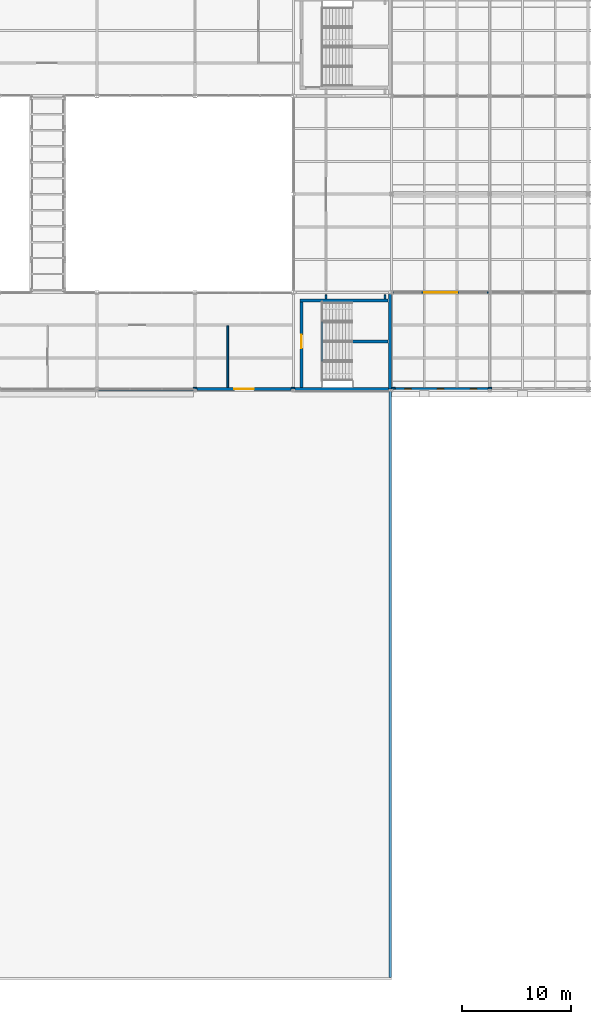
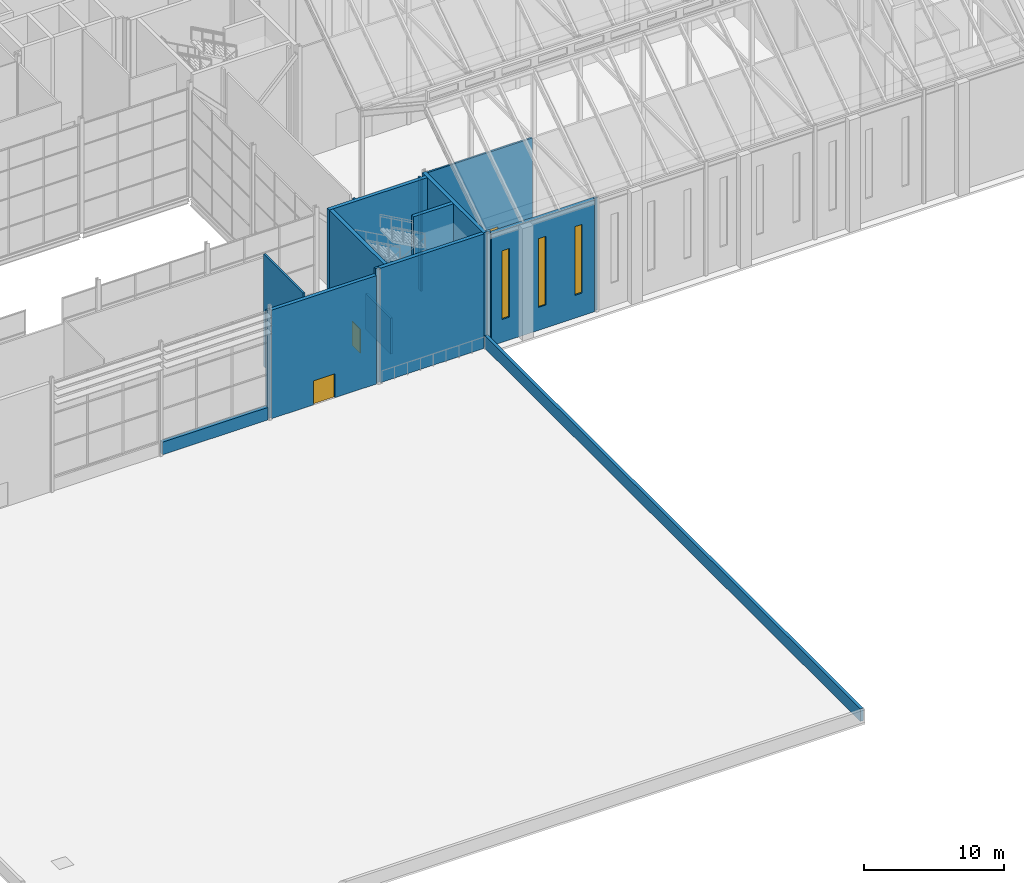
# One storey, part 86 of 111: 18 walls, 3 doors, 3 windows, 6 openings.
"""IFC4 building model written with IfcOpenShell, lengths in metres."""

from ifc_helpers import new_model, si_unit, direction, frame, frame_2d, origin, place, context, subcontext, project, spatial, rectangle, extrude, material, layer, layer_set, type_object, element, fill, save


model = new_model("IFC4")

# Units and contexts
model_context = context("Model", 3, precision=1e-05, world=origin(), true_north=direction((0.0, 1.0)))
body_context = subcontext(model_context, "Body", "Model", "MODEL_VIEW")
ifc_project = project(units=[si_unit("LENGTHUNIT", "METRE"), si_unit("AREAUNIT", "SQUARE_METRE"), si_unit("VOLUMEUNIT", "CUBIC_METRE"), si_unit("PLANEANGLEUNIT", "RADIAN"), si_unit("MASSUNIT", "GRAM", prefix="KILO")], contexts=[model_context])

# Site, building, storey
site_placement = place(None, origin())
site = spatial("IfcSite", under=ifc_project, at=site_placement, CompositionType="ELEMENT")
building_placement = place(site_placement, origin())
building = spatial("IfcBuilding", under=site, at=building_placement, Name="Shorebreak Coast Museum", CompositionType="ELEMENT")
storey_placement = place(building_placement, frame((0.0, 0.0, 16.0)))
storey = spatial("IfcBuildingStorey", under=building, at=storey_placement, Name="L03", CompositionType="ELEMENT", Elevation=16.0)

# Walls
ifc_material_1 = material(Name="Concrete N50 (50 MPa)", Category="concrete")
ifc_layer_1 = layer(ifc_material_1, 0.175048828125)
ifc_layer_set_1 = layer_set([ifc_layer_1], Name="Concrete N50 (50 MPa)")
wall_type_1 = type_object("IfcWallType", Name="Column closure panel 175", PredefinedType="SOLIDWALL", material=ifc_layer_set_1)
wall_1_placement = place(storey_placement, frame((98.839111328125, 54.21240234375, 0.0), z_axis=(0.0, 0.0, 1.0), x_axis=(1.0, 0.0, 0.0)))
element("IfcWall", 1, at=wall_1_placement, inside=storey, type_object=wall_type_1, Name="Column closure panel L03 S 12G", PredefinedType="SOLIDWALL", context=body_context, shape_type="SweptSolid", body=[
    extrude(rectangle(XDim=0.32177734375, YDim=0.175048828125, at=frame_2d((0.160888671875, 0.0))), origin(), (0.0, 0.0, 1.0), 9.472900390625),
])
for number, where, z_axis, x_axis, name in (
    (2, (107.802978515625, 54.21240234375, 0.0), (0.0, 0.0, 1.0), (1.0, 0.0, 0.0), "Column closure panel L03 S 13G"),
    (3, (117.0, 54.21240234375, 0.0), (0.0, 0.0, 1.0), (1.0, 0.0, 0.0), "Column closure panel L03 S 14G"),
):
    element("IfcWall", number, at=place(storey_placement, frame(where, z_axis=z_axis, x_axis=x_axis)), inside=storey, type_object=wall_type_1, Name=name, PredefinedType="SOLIDWALL", context=body_context, shape_type="SweptSolid", body=[
        extrude(rectangle(XDim=0.322021484375, YDim=0.175048828125, at=frame_2d((0.1611328125, 0.0))), origin(), (0.0, 0.0, 1.0), 10.0),
    ])
wall_2_placement = place(storey_placement, frame((125.839111328125, 54.21240234375, 0.0), z_axis=(0.0, 0.0, 1.0), x_axis=(1.0, 0.0, 0.0)))
element("IfcWall", 4, at=wall_2_placement, inside=storey, type_object=wall_type_1, Name="Column closure panel L03 S 15G", PredefinedType="SOLIDWALL", context=body_context, shape_type="SweptSolid", body=[
    extrude(rectangle(XDim=0.32177734375, YDim=0.175048828125, at=frame_2d((0.160888671875, 0.0))), origin(), (0.0, 0.0, 1.0), 9.800048828125),
])

# Wall, opening, door
ifc_material_2 = material(Name="Plasterboard on steel stud", Category="steel")
ifc_layer_2 = layer(ifc_material_2, 0.14990234375)
ifc_layer_set_2 = layer_set([ifc_layer_2], Name="Plasterboard on steel stud")
wall_type_2 = type_object("IfcWallType", Name="Fire partition 150", PredefinedType="PARTITIONING", material=ifc_layer_set_2)
wall_3_placement = place(storey_placement, frame((117.152587890625, 63.0, 0.0), z_axis=(0.0, 0.0, 1.0), x_axis=(1.0, 0.0, 0.0)))
wall_3 = element("IfcWall", 5, at=wall_3_placement, inside=storey, type_object=wall_type_2, Name="Partition L03-005", PredefinedType="PARTITIONING", context=body_context, shape_type="SweptSolid", body=[
    extrude(rectangle(XDim=8.69482421875, YDim=0.14990234375, at=frame_2d((4.347412109375, 0.0))), origin(), (0.0, 0.0, 1.0), 9.760009765625),
])
opening_1_placement = place(wall_3_placement, frame((2.85009765625, 0.0, 0.0)))
opening_1 = element("IfcOpeningElement", 6, at=opening_1_placement, cuts=wall_3, Name="Opening D3029", PredefinedType="OPENING", context=body_context, shape_type="SweptSolid", body=[
    extrude(rectangle(XDim=3.0, YDim=3.0, at=frame_2d((1.5, 1.5))), frame((0.0, 0.0849609375, 0.0), z_axis=(0.0, -1.0, 0.0), x_axis=(1.0, 0.0, 0.0)), (0.0, 0.0, 1.0), 0.169921875),
])
ifc_material_3 = material(Name="Steel", Category="steel")
door_type_1 = type_object("IfcDoorType", Name="Fire door 3000x3000 60", OperationType="DOUBLE_DOOR_SINGLE_SWING", PredefinedType="DOOR", material=ifc_material_3)
door_1_placement = place(opening_1_placement, origin())
door_1 = element("IfcDoor", 7, at=door_1_placement, inside=storey, type_object=door_type_1, Name="Door D3029 Top-lit Gallery 3.01", OperationType="DOUBLE_DOOR_SINGLE_SWING", OverallHeight=3.0, OverallWidth=3.0, PredefinedType="DOOR", context=body_context, shape_type="SweptSolid", body=[
    extrude(rectangle(XDim=3.0, YDim=3.0, at=frame_2d((1.5, 1.5))), frame((0.0, 0.02490234375, 0.0), z_axis=(0.0, -1.0, 0.0), x_axis=(1.0, 0.0, 0.0)), (0.0, 0.0, 1.0), 0.050048828125),
])
fill(opening_1, door_1)

# Walls
wall_4_placement = place(storey_placement, frame((102.0, 54.300048828125, 0.0), z_axis=(0.0, 0.0, 1.0), x_axis=(0.0, 1.0, 0.0)))
element("IfcWall", 8, at=wall_4_placement, inside=storey, type_object=wall_type_2, Name="Partition L03-063", PredefinedType="PARTITIONING", context=body_context, shape_type="SweptSolid", body=[
    extrude(rectangle(XDim=5.625, YDim=0.14990234375, at=frame_2d((2.8125, 0.0))), origin(), (0.0, 0.0, 1.0), 9.824951171875),
])
for number, where, z_axis, x_axis, name in (
    (9, (111.0, 62.39990234375, 0.0), (0.0, 0.0, 1.0), (0.0, 1.0, 0.0), "Partition L03-068"),
    (10, (116.39990234375, 62.39990234375, 0.0), (0.0, 0.0, 1.0), (0.0, 1.0, 0.0), "Partition L03-074"),
):
    element("IfcWall", number, at=place(storey_placement, frame(where, z_axis=z_axis, x_axis=x_axis)), inside=storey, type_object=wall_type_2, Name=name, PredefinedType="PARTITIONING", context=body_context, shape_type="SweptSolid", body=[
        extrude(rectangle(XDim=0.380126953125, YDim=0.14990234375, at=frame_2d((0.18994140625, 0.0))), origin(), (0.0, 0.0, 1.0), 9.824951171875),
    ])
ifc_material_4 = material(Name="Concrete N50 (50 MPa)", Category="concrete")
ifc_layer_3 = layer(ifc_material_4, 0.300048828125)
ifc_layer_set_3 = layer_set([ifc_layer_3], Name="Concrete N50 (50 MPa)")
wall_type_3 = type_object("IfcWallType", Name="Precast board-marked panel 300", PredefinedType="SOLIDWALL", material=ifc_layer_set_3)
wall_5_placement = place(storey_placement, frame((90.160888671875, 54.14990234375, 0.0), z_axis=(0.0, 0.0, 1.0), x_axis=(1.0, 0.0, 0.0)))
element("IfcWall", 11, at=wall_5_placement, inside=storey, type_object=wall_type_3, Name="External wall L03 S 11G", PredefinedType="SOLIDWALL", context=body_context, shape_type="SweptSolid", body=[
    extrude(rectangle(XDim=8.67822265625, YDim=0.300048828125, at=frame_2d((4.339111328125, 0.0))), origin(), (0.0, 0.0, 1.0), 1.10009765625),
])

# Wall, opening, door
wall_6_placement = place(storey_placement, frame((99.160888671875, 54.14990234375, 0.0), z_axis=(0.0, 0.0, 1.0), x_axis=(1.0, 0.0, 0.0)))
wall_6 = element("IfcWall", 12, at=wall_6_placement, inside=storey, type_object=wall_type_3, Name="External wall L03 S 12G", PredefinedType="SOLIDWALL", context=body_context, shape_type="SweptSolid", body=[
    extrude(rectangle(XDim=8.64208984375, YDim=0.300048828125, at=frame_2d((4.321044921875, 0.0))), origin(), (0.0, 0.0, 1.0), 9.472900390625),
])
opening_2_placement = place(wall_6_placement, frame((3.43896484375, 0.0, 0.0)))
opening_2 = element("IfcOpeningElement", 13, at=opening_2_placement, cuts=wall_6, Name="Opening D0915", PredefinedType="OPENING", context=body_context, shape_type="SweptSolid", body=[
    extrude(rectangle(XDim=1.800048828125, YDim=2.10009765625, at=frame_2d((0.89990234375, 1.050048828125))), frame((0.0, 0.159912109375, 0.0), z_axis=(0.0, -1.0, 0.0), x_axis=(1.0, 0.0, 0.0)), (0.0, 0.0, 1.0), 0.320068359375),
])
ifc_material_5 = material(Name="Aluminium", Category="aluminium")
door_type_2 = type_object("IfcDoorType", Name="Garden door pair 1800 x 2100", OperationType="DOUBLE_DOOR_SINGLE_SWING", PredefinedType="DOOR", material=ifc_material_5)
door_2_placement = place(opening_2_placement, origin())
door_2 = element("IfcDoor", 14, at=door_2_placement, inside=storey, type_object=door_type_2, Name="Garden door RG-S2 D0915", OperationType="DOUBLE_DOOR_SINGLE_SWING", OverallHeight=2.10009765625, OverallWidth=1.800048828125, PredefinedType="DOOR", context=body_context, shape_type="SweptSolid", body=[
    extrude(rectangle(XDim=1.800048828125, YDim=2.10009765625, at=frame_2d((0.89990234375, 1.050048828125))), frame((0.0, 0.02490234375, 0.0), z_axis=(0.0, -1.0, 0.0), x_axis=(1.0, 0.0, 0.0)), (0.0, 0.0, 1.0), 0.050048828125),
])
fill(opening_2, door_2)

# Wall, openings, windows
wall_7_placement = place(storey_placement, frame((117.322021484375, 54.14990234375, 0.0), z_axis=(0.0, 0.0, 1.0), x_axis=(1.0, 0.0, 0.0)))
wall_7 = element("IfcWall", 15, at=wall_7_placement, inside=storey, type_object=wall_type_3, Name="External wall L03 S 14G", PredefinedType="SOLIDWALL", context=body_context, shape_type="SweptSolid", body=[
    extrude(rectangle(XDim=8.51708984375, YDim=0.300048828125, at=frame_2d((4.258544921875, 0.0))), origin(), (0.0, 0.0, 1.0), 9.800048828125),
])
opening_3_placement = place(wall_7_placement, frame((0.8779296875, 0.0, 2.0)))
opening_3 = element("IfcOpeningElement", 16, at=opening_3_placement, cuts=wall_7, Name="Opening WN3030", PredefinedType="OPENING", context=body_context, shape_type="SweptSolid", body=[
    extrude(rectangle(XDim=0.60009765625, YDim=6.0, at=frame_2d((0.300048828125, 3.0))), frame((0.0, 0.159912109375, 0.0), z_axis=(0.0, -1.0, 0.0), x_axis=(1.0, 0.0, 0.0)), (0.0, 0.0, 1.0), 0.320068359375),
])
opening_4_placement = place(wall_7_placement, frame((3.8779296875, 0.0, 2.0)))
opening_4 = element("IfcOpeningElement", 17, at=opening_4_placement, cuts=wall_7, Name="Opening WN3031", PredefinedType="OPENING", context=body_context, shape_type="SweptSolid", body=[
    extrude(rectangle(XDim=0.60009765625, YDim=6.0, at=frame_2d((0.300048828125, 3.0))), frame((0.0, 0.159912109375, 0.0), z_axis=(0.0, -1.0, 0.0), x_axis=(1.0, 0.0, 0.0)), (0.0, 0.0, 1.0), 0.320068359375),
])
opening_5_placement = place(wall_7_placement, frame((6.8779296875, 0.0, 2.0)))
opening_5 = element("IfcOpeningElement", 18, at=opening_5_placement, cuts=wall_7, Name="Opening WN3032", PredefinedType="OPENING", context=body_context, shape_type="SweptSolid", body=[
    extrude(rectangle(XDim=0.60009765625, YDim=6.0, at=frame_2d((0.300048828125, 3.0))), frame((0.0, 0.159912109375, 0.0), z_axis=(0.0, -1.0, 0.0), x_axis=(1.0, 0.0, 0.0)), (0.0, 0.0, 1.0), 0.320068359375),
])
ifc_material_6 = material(Name="Aluminium", Category="aluminium")
window_type = type_object("IfcWindowType", Name="Hall slot window 600 x 6000", PartitioningType="SINGLE_PANEL", PredefinedType="WINDOW", material=ifc_material_6)
window_1_placement = place(opening_3_placement, origin())
window_1 = element("IfcWindow", 19, at=window_1_placement, inside=storey, type_object=window_type, Name="Window WN3030", OverallHeight=6.0, OverallWidth=0.60009765625, PartitioningType="SINGLE_PANEL", PredefinedType="WINDOW", context=body_context, shape_type="SweptSolid", body=[
    extrude(rectangle(XDim=0.60009765625, YDim=6.0, at=frame_2d((0.300048828125, 3.0))), frame((0.0, 0.030029296875, 0.0), z_axis=(0.0, -1.0, 0.0), x_axis=(1.0, 0.0, 0.0)), (0.0, 0.0, 1.0), 0.06005859375),
])
fill(opening_3, window_1)
window_2_placement = place(opening_4_placement, origin())
window_2 = element("IfcWindow", 20, at=window_2_placement, inside=storey, type_object=window_type, Name="Window WN3031", OverallHeight=6.0, OverallWidth=0.60009765625, PartitioningType="SINGLE_PANEL", PredefinedType="WINDOW", context=body_context, shape_type="SweptSolid", body=[
    extrude(rectangle(XDim=0.60009765625, YDim=6.0, at=frame_2d((0.300048828125, 3.0))), frame((0.0, 0.030029296875, 0.0), z_axis=(0.0, -1.0, 0.0), x_axis=(1.0, 0.0, 0.0)), (0.0, 0.0, 1.0), 0.06005859375),
])
fill(opening_4, window_2)
window_3_placement = place(opening_5_placement, origin())
window_3 = element("IfcWindow", 21, at=window_3_placement, inside=storey, type_object=window_type, Name="Window WN3032", OverallHeight=6.0, OverallWidth=0.60009765625, PartitioningType="SINGLE_PANEL", PredefinedType="WINDOW", context=body_context, shape_type="SweptSolid", body=[
    extrude(rectangle(XDim=0.60009765625, YDim=6.0, at=frame_2d((0.300048828125, 3.0))), frame((0.0, 0.030029296875, 0.0), z_axis=(0.0, -1.0, 0.0), x_axis=(1.0, 0.0, 0.0)), (0.0, 0.0, 1.0), 0.06005859375),
])
fill(opening_5, window_3)

# Walls
ifc_material_7 = material(Name="Concrete N50 (50 MPa)", Category="concrete")
ifc_layer_4 = layer(ifc_material_7, 0.300048828125)
ifc_layer_set_4 = layer_set([ifc_layer_4], Name="Concrete N50 (50 MPa)")
wall_type_4 = type_object("IfcWallType", Name="RC wall 300", PredefinedType="SHEAR", material=ifc_layer_set_4)
wall_8_placement = place(storey_placement, frame((108.125, 54.14990234375, 0.0), z_axis=(0.0, 0.0, 1.0), x_axis=(1.0, 0.0, 0.0)))
element("IfcWall", 22, at=wall_8_placement, inside=storey, type_object=wall_type_4, Name="Stair core wall ST02 L03 S", PredefinedType="SHEAR", context=body_context, shape_type="SweptSolid", body=[
    extrude(rectangle(XDim=8.574951171875, YDim=0.300048828125, at=frame_2d((4.28759765625, 0.0))), origin(), (0.0, 0.0, 1.0), 10.0),
])
wall_9_placement = place(storey_placement, frame((108.60009765625, 62.25, 0.0), z_axis=(0.0, 0.0, 1.0), x_axis=(1.0, 0.0, 0.0)))
element("IfcWall", 23, at=wall_9_placement, inside=storey, type_object=wall_type_4, Name="Stair core wall ST02 L03 N", PredefinedType="SHEAR", context=body_context, shape_type="SweptSolid", body=[
    extrude(rectangle(XDim=8.099853515625, YDim=0.300048828125, at=frame_2d((4.0498046875, 0.0))), origin(), (0.0, 0.0, 1.0), 10.0),
])

# Wall, opening, door
wall_10_placement = place(storey_placement, frame((108.75, 54.300048828125, 0.0), z_axis=(0.0, 0.0, 1.0), x_axis=(0.0, 1.0, 0.0)))
wall_10 = element("IfcWall", 24, at=wall_10_placement, inside=storey, type_object=wall_type_4, Name="Stair core wall ST02 L03 W", PredefinedType="SHEAR", context=body_context, shape_type="SweptSolid", body=[
    extrude(rectangle(XDim=7.800048828125, YDim=0.300048828125, at=frame_2d((3.89990234375, 0.0))), origin(), (0.0, 0.0, 1.0), 10.0),
])
opening_6_placement = place(wall_10_placement, frame((3.60009765625, 0.0, 0.0)))
opening_6 = element("IfcOpeningElement", 25, at=opening_6_placement, cuts=wall_10, Name="Opening D3802", PredefinedType="OPENING", context=body_context, shape_type="SweptSolid", body=[
    extrude(rectangle(XDim=1.199951171875, YDim=2.10009765625, at=frame_2d((0.60009765625, 1.050048828125))), frame((0.0, 0.159912109375, 0.0), z_axis=(0.0, -1.0, 0.0), x_axis=(1.0, 0.0, 0.0)), (0.0, 0.0, 1.0), 0.320068359375),
])
ifc_material_8 = material(Name="Steel Grade 300", Category="steel")
door_type_3 = type_object("IfcDoorType", Name="Fire door 1200x2100", OperationType="SINGLE_SWING_LEFT", PredefinedType="DOOR", material=ifc_material_8)
door_3_placement = place(opening_6_placement, origin())
door_3 = element("IfcDoor", 26, at=door_3_placement, inside=storey, type_object=door_type_3, Name="Stair door ST02 L03", OperationType="SINGLE_SWING_RIGHT", OverallHeight=2.10009765625, OverallWidth=1.199951171875, PredefinedType="DOOR", context=body_context, shape_type="SweptSolid", body=[
    extrude(rectangle(XDim=1.199951171875, YDim=2.10009765625, at=frame_2d((0.60009765625, 1.050048828125))), frame((0.0, 0.02490234375, 0.0), z_axis=(0.0, -1.0, 0.0), x_axis=(1.0, 0.0, 0.0)), (0.0, 0.0, 1.0), 0.050048828125),
])
fill(opening_6, door_3)

# Walls
wall_11_placement = place(storey_placement, frame((116.85009765625, 54.125, 0.0), z_axis=(0.0, 0.0, 1.0), x_axis=(0.0, 1.0, 0.0)))
element("IfcWall", 27, at=wall_11_placement, inside=storey, type_object=wall_type_4, Name="Stair core wall ST02 L03 E", PredefinedType="SHEAR", context=body_context, shape_type="SweptSolid", body=[
    extrude(rectangle(XDim=8.720947265625, YDim=0.300048828125, at=frame_2d((4.3603515625, 0.0))), origin(), (0.0, 0.0, 1.0), 10.0),
])
wall_12_placement = place(storey_placement, frame((113.39990234375, 58.5, 0.0), z_axis=(0.0, 0.0, 1.0), x_axis=(1.0, 0.0, 0.0)))
element("IfcWall", 28, at=wall_12_placement, inside=storey, type_object=wall_type_4, Name="Stair spine wall ST02 L03", PredefinedType="SHEAR", context=body_context, shape_type="SweptSolid", body=[
    extrude(rectangle(XDim=3.300048828125, YDim=0.300048828125, at=frame_2d((1.64990234375, 0.0))), origin(), (0.0, 0.0, 1.0), 10.0),
])
ifc_material_9 = material(Name="Concrete N50 (50 MPa)", Category="concrete")
ifc_layer_5 = layer(ifc_material_9, 0.25)
ifc_layer_set_5 = layer_set([ifc_layer_5], Name="Concrete N50 (50 MPa)")
wall_type_5 = type_object("IfcWallType", Name="Roof parapet 250", PredefinedType="PARAPET", material=ifc_layer_set_5)
wall_13_placement = place(storey_placement, frame((116.875, 0.25, 0.0), z_axis=(0.0, 0.0, 1.0), x_axis=(0.0, 1.0, 0.0)))
element("IfcWall", 29, at=wall_13_placement, inside=storey, type_object=wall_type_5, Name="Roof parapet E", PredefinedType="PARAPET", context=body_context, shape_type="SweptSolid", body=[
    extrude(rectangle(XDim=53.75, YDim=0.25, at=frame_2d((26.875, 0.0))), origin(), (0.0, 0.0, 1.0), 1.10009765625),
])
ifc_material_10 = material(Name="Concrete N50 (50 MPa)", Category="concrete")
ifc_layer_6 = layer(ifc_material_10, 0.14990234375)
ifc_layer_set_6 = layer_set([ifc_layer_6], Name="Concrete N50 (50 MPa)")
wall_type_6 = type_object("IfcWallType", Name="Understair wall 150", PredefinedType="STANDARD", material=ifc_layer_set_6)
wall_14_placement = place(storey_placement, frame((110.625, 56.699951171875, 0.0), z_axis=(0.0, 0.0, 1.0), x_axis=(0.0, 1.0, 0.0)))
element("IfcWall", 30, at=wall_14_placement, inside=storey, type_object=wall_type_6, Name="Understair wall ST02 L03 floor", PredefinedType="STANDARD", context=body_context, shape_type="SweptSolid", body=[
    extrude(rectangle(XDim=3.60009765625, YDim=0.14990234375, at=frame_2d((1.800048828125, 0.0))), origin(), (0.0, 0.0, 1.0), 3.13330078125),
])

save(model, "model.ifc")
